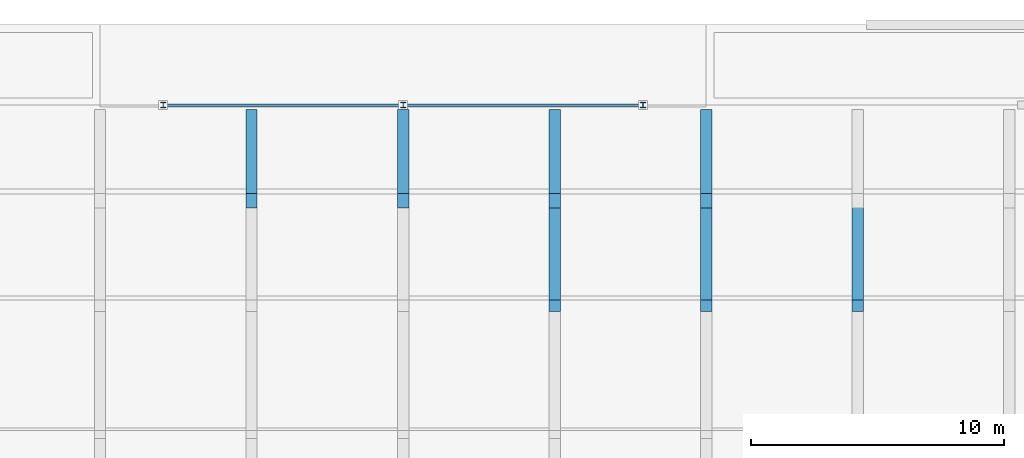
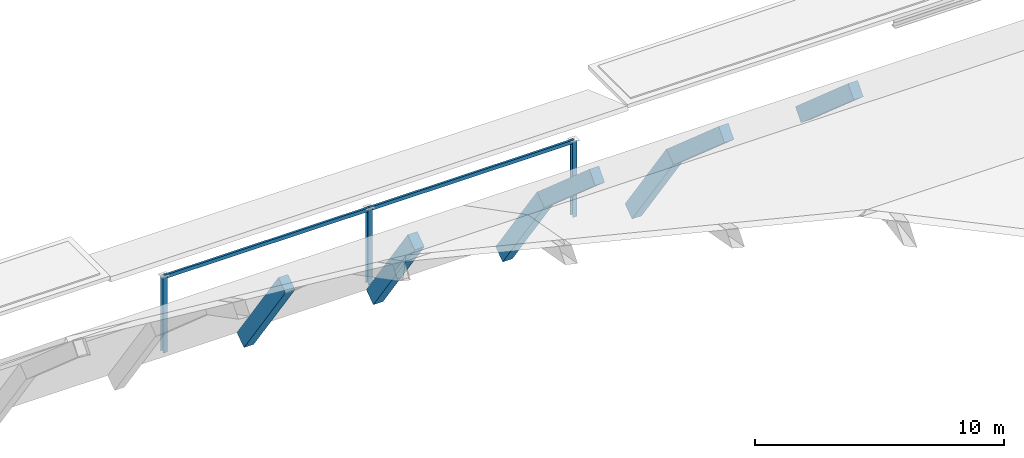
# One storey, part 19 of 42: 7 beams, 5 members.
"""IFC4 building model written with IfcOpenShell, lengths in metres."""

from ifc_helpers import new_model, si_unit, direction, frame, origin, origin_2d, place, context, subcontext, project, spatial, rectangle, hollow_rectangle, i_section, extrude, material, material_profile, profile_set, type_object, element, save


model = new_model("IFC4")

# Units and contexts
model_context = context("Model", 3, precision=1e-05, world=origin(), true_north=direction((0.0, 1.0)))
body_context = subcontext(model_context, "Body", "Model", "MODEL_VIEW")
ifc_project = project(units=[si_unit("LENGTHUNIT", "METRE"), si_unit("AREAUNIT", "SQUARE_METRE"), si_unit("VOLUMEUNIT", "CUBIC_METRE"), si_unit("PLANEANGLEUNIT", "RADIAN"), si_unit("MASSUNIT", "GRAM", prefix="KILO")], contexts=[model_context])

# Site, building, storey
site_placement = place(None, origin())
site = spatial("IfcSite", under=ifc_project, at=site_placement, CompositionType="ELEMENT")
building_placement = place(site_placement, origin())
building = spatial("IfcBuilding", under=site, at=building_placement, Name="Kelmvaro Bay Concert Hall", CompositionType="ELEMENT")
storey_placement = place(building_placement, frame((0.0, 0.0, 26.699951171875)))
storey = spatial("IfcBuildingStorey", under=building, at=storey_placement, Name="RF", CompositionType="ELEMENT", Elevation=26.699951171875)

# Members
ifc_material_1 = material(Name="Steel ASTM A992 Grade 50", Category="steel")
ifc_material_profile_1 = material_profile(ifc_material_1, i_section(OverallWidth=0.2041015625, OverallDepth=0.2060546875, WebThickness=0.0078125, FlangeThickness=0.0126953125, at=origin_2d()), Name="W8X35")
ifc_profile_set_1 = profile_set([ifc_material_profile_1], Name="Steel ASTM A992 Grade 50")
member_type_1 = type_object("IfcMemberType", Name="Crystal Eave Tie Strut W8x35", PredefinedType="STRUT", material=ifc_profile_set_1)
for number, where, z_axis, x_axis, name in (
    (1, (20.5, 110.820068359375, -4.514892578125), (0.0, 0.0, 1.0), (1.0, 0.0, 0.0), "V1 Shoulder Post 069"),
    (2, (30.0, 110.820068359375, -4.514892578125), (0.0, 0.0, 1.0), (1.0, 0.0, 0.0), "V1 Shoulder Post 070"),
    (3, (39.5, 110.820068359375, -4.514892578125), (0.0, 0.0, 1.0), (1.0, 0.0, 0.0), "V1 Shoulder Post 071"),
):
    element("IfcMember", number, at=place(storey_placement, frame(where, z_axis=z_axis, x_axis=x_axis)), inside=storey, type_object=member_type_1, Name=name, PredefinedType="STRUT", context=body_context, shape_type="SweptSolid", body=[
        extrude(i_section(OverallWidth=0.2041015625, OverallDepth=0.2060546875, WebThickness=0.0078125, FlangeThickness=0.0126953125, at=origin_2d()), origin(), (0.0, 0.0, 1.0), 3.73486328125),
    ])

# Beams
ifc_material_2 = material(Name="Concrete C40/50", Category="concrete")
ifc_material_profile_2 = material_profile(ifc_material_2, rectangle(XDim=0.449951171875, YDim=0.699951171875, at=origin_2d()), Name="RC-BM-450X700")
ifc_profile_set_2 = profile_set([ifc_material_profile_2], Name="Concrete C40/50")
beam_type = type_object("IfcBeamType", Name="Perimeter Spandrel Beam RC450x700", PredefinedType="BEAM", material=ifc_profile_set_2)
for number, where, z_axis, x_axis, name in (
    (4, (24.0, 107.02978515625, -0.117919921875), (0.0, 0.577266481329, -0.816555821444), (-1.0, 0.0, 0.0), "Barrel Shell Arch Rib 05-08"),
    (5, (30.0, 107.02978515625, -0.117919921875), (0.0, 0.577266481329, -0.816555821444), (-1.0, 0.0, 0.0), "Barrel Shell Arch Rib 06-08"),
):
    element("IfcBeam", number, at=place(storey_placement, frame(where, z_axis=z_axis, x_axis=x_axis)), inside=storey, type_object=beam_type, Name=name, PredefinedType="BEAM", context=body_context, shape_type="SweptSolid", body=[
        extrude(rectangle(XDim=0.449951171875, YDim=0.699951171875, at=origin_2d()), origin(), (0.0, 0.0, 1.0), 5.7666015625),
    ])
beam_1_placement = place(storey_placement, frame((36.0, 102.8798828125, 3.482421875), z_axis=(0.0, 0.753462954927, -0.657490361566), x_axis=(-1.0, 0.0, 0.0)))
element("IfcBeam", 6, at=beam_1_placement, inside=storey, type_object=beam_type, Name="Barrel Shell Arch Rib 07-07", PredefinedType="BEAM", context=body_context, shape_type="SweptSolid", body=[
    extrude(rectangle(XDim=0.449951171875, YDim=0.699951171875, at=origin_2d()), origin(), (0.0, 0.0, 1.0), 5.626953125),
])
beam_2_placement = place(storey_placement, frame((36.0, 107.02978515625, -0.117919921875), z_axis=(0.0, 0.577266481329, -0.816555821444), x_axis=(-1.0, 0.0, 0.0)))
element("IfcBeam", 7, at=beam_2_placement, inside=storey, type_object=beam_type, Name="Barrel Shell Arch Rib 07-08", PredefinedType="BEAM", context=body_context, shape_type="SweptSolid", body=[
    extrude(rectangle(XDim=0.449951171875, YDim=0.699951171875, at=origin_2d()), origin(), (0.0, 0.0, 1.0), 5.7666015625),
])
beam_3_placement = place(storey_placement, frame((42.0, 102.8798828125, 3.482421875), z_axis=(0.0, 0.753462954927, -0.657490361566), x_axis=(-1.0, 0.0, 0.0)))
element("IfcBeam", 8, at=beam_3_placement, inside=storey, type_object=beam_type, Name="Barrel Shell Arch Rib 08-07", PredefinedType="BEAM", context=body_context, shape_type="SweptSolid", body=[
    extrude(rectangle(XDim=0.449951171875, YDim=0.699951171875, at=origin_2d()), origin(), (0.0, 0.0, 1.0), 5.626953125),
])
beam_4_placement = place(storey_placement, frame((42.0, 107.02978515625, -0.117919921875), z_axis=(0.0, 0.577266481329, -0.816555821444), x_axis=(-1.0, 0.0, 0.0)))
element("IfcBeam", 9, at=beam_4_placement, inside=storey, type_object=beam_type, Name="Barrel Shell Arch Rib 08-08", PredefinedType="BEAM", context=body_context, shape_type="SweptSolid", body=[
    extrude(rectangle(XDim=0.449951171875, YDim=0.699951171875, at=origin_2d()), origin(), (0.0, 0.0, 1.0), 5.7666015625),
])
beam_5_placement = place(storey_placement, frame((48.0, 102.8798828125, 3.482421875), z_axis=(0.0, 0.753462954927, -0.657490361566), x_axis=(-1.0, 0.0, 0.0)))
element("IfcBeam", 10, at=beam_5_placement, inside=storey, type_object=beam_type, Name="Barrel Shell Arch Rib 09-07", PredefinedType="BEAM", context=body_context, shape_type="SweptSolid", body=[
    extrude(rectangle(XDim=0.449951171875, YDim=0.699951171875, at=origin_2d()), origin(), (0.0, 0.0, 1.0), 5.626953125),
])

# Members
ifc_material_3 = material(Name="Steel ASTM A500 Grade C", Category="steel")
ifc_material_profile_3 = material_profile(ifc_material_3, hollow_rectangle(XDim=0.10009765625, YDim=0.179931640625, WallThickness=0.008056640625, at=origin_2d()), Name="HSS180X100X8")
ifc_profile_set_3 = profile_set([ifc_material_profile_3], Name="Steel ASTM A500 Grade C")
member_type_2 = type_object("IfcMemberType", Name="Shoulder Roof Purlin HSS180x100x8", PredefinedType="PURLIN", material=ifc_profile_set_3)
for number, where, z_axis, x_axis, name in (
    (11, (20.5048828125, 110.820068359375, -0.849853515625), (1.0, 0.0, 0.0), (0.0, 1.0, 0.0), "V1 Shoulder Purlin 083"),
    (12, (30.0048828125, 110.820068359375, -0.849853515625), (1.0, 0.0, 0.0), (0.0, 1.0, 0.0), "V1 Shoulder Purlin 084"),
):
    element("IfcMember", number, at=place(storey_placement, frame(where, z_axis=z_axis, x_axis=x_axis)), inside=storey, type_object=member_type_2, Name=name, PredefinedType="PURLIN", context=body_context, shape_type="SweptSolid", body=[
        extrude(hollow_rectangle(XDim=0.10009765625, YDim=0.179931640625, WallThickness=0.008056640625, at=origin_2d()), origin(), (0.0, 0.0, 1.0), 9.490234375),
    ])

save(model, "model.ifc")
